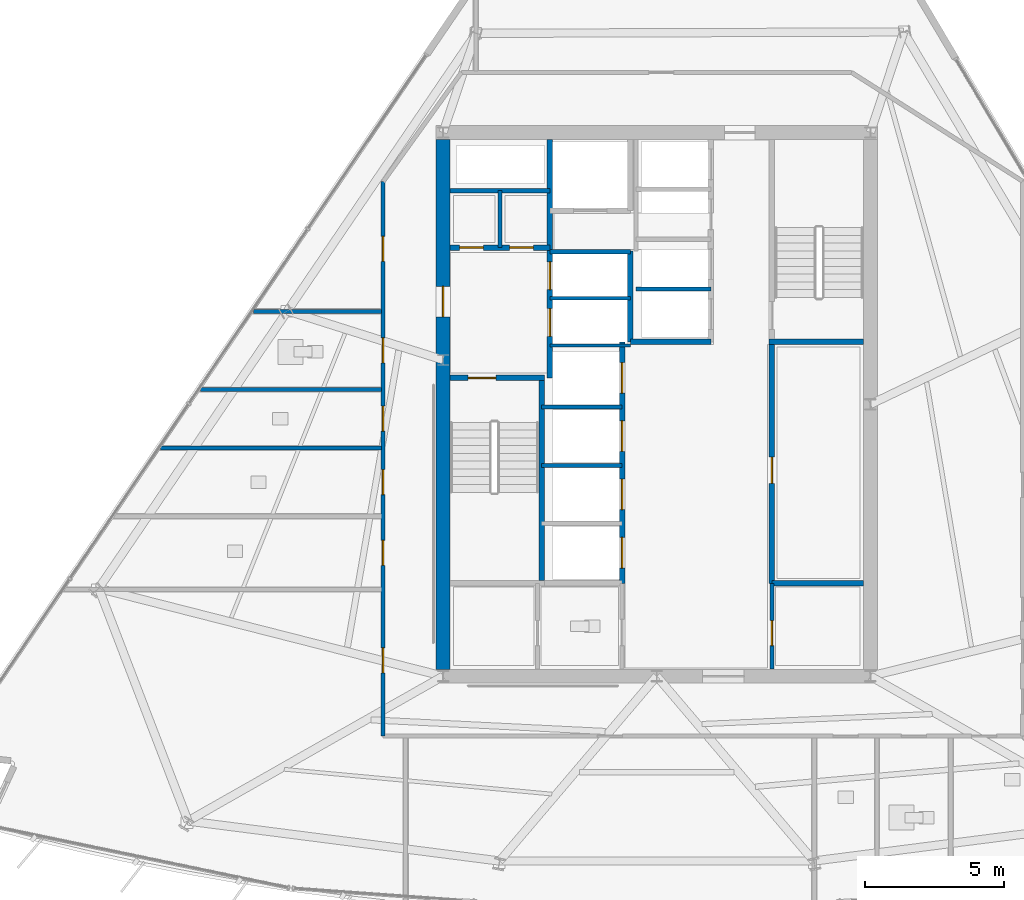
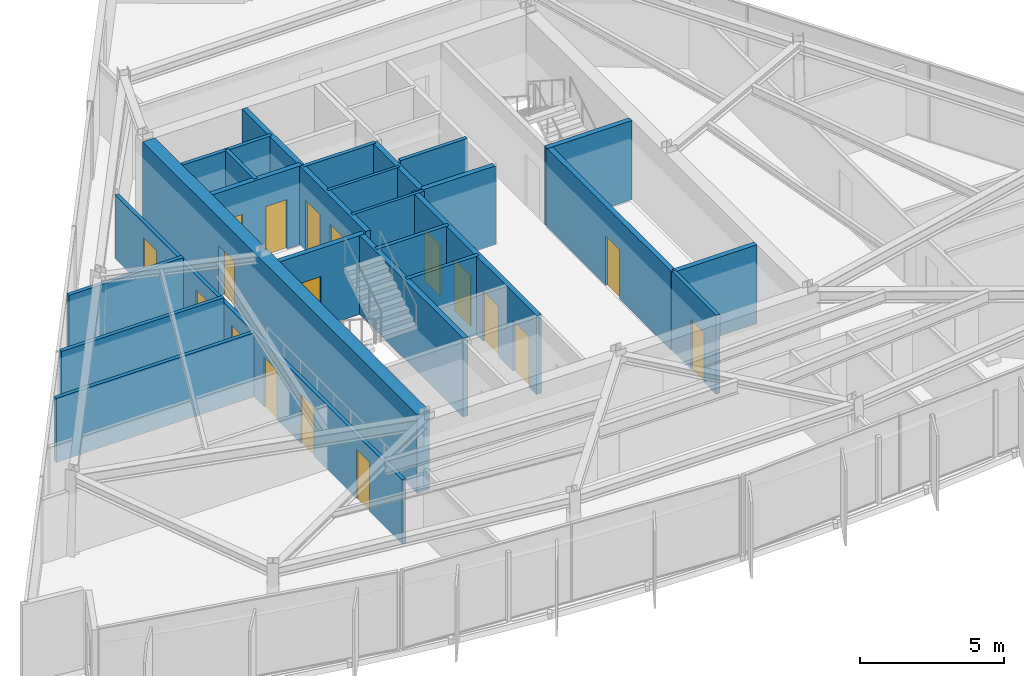
# One storey, part 8 of 15: 24 walls, 18 doors, 18 openings.
"""IFC4 building model written with IfcOpenShell, lengths in metres."""

from ifc_helpers import new_model, si_unit, direction, frame, frame_2d, origin, place, context, subcontext, project, spatial, rectangle, extrude, material, layer, layer_set, type_object, element, fill, save


model = new_model("IFC4")

# Units and contexts
model_context = context("Model", 3, precision=1e-05, world=origin(), true_north=direction((0.0, 1.0)))
body_context = subcontext(model_context, "Body", "Model", "MODEL_VIEW")
ifc_project = project(units=[si_unit("LENGTHUNIT", "METRE"), si_unit("AREAUNIT", "SQUARE_METRE"), si_unit("VOLUMEUNIT", "CUBIC_METRE"), si_unit("PLANEANGLEUNIT", "RADIAN"), si_unit("MASSUNIT", "GRAM", prefix="KILO")], contexts=[model_context])

# Site, building, storey
site_placement = place(None, origin())
site = spatial("IfcSite", under=ifc_project, at=site_placement, CompositionType="ELEMENT")
building_placement = place(site_placement, origin())
building = spatial("IfcBuilding", under=site, at=building_placement, Name="Savorim Split Tower", CompositionType="ELEMENT")
storey_placement = place(building_placement, frame((0.0, 0.0, 198.300048828125)))
storey = spatial("IfcBuildingStorey", under=building, at=storey_placement, Name="L52", CompositionType="ELEMENT", Elevation=198.300048828125)

# Wall, opening, door
ifc_material_1 = material(Name="Concrete C60/75", Category="concrete")
ifc_layer_1 = layer(ifc_material_1, 0.5)
ifc_layer_set_1 = layer_set([ifc_layer_1], Name="WAL-COR-SH500")
wall_type_1 = type_object("IfcWallType", Name="WAL-COR-SH500", PredefinedType="SHEAR", material=ifc_layer_set_1)
wall_1_placement = place(storey_placement, frame((-7.699951171875, -9.14990234375, 0.0), z_axis=(0.0, 0.0, 1.0), x_axis=(0.0, 1.0, 0.0)))
wall_1 = element("IfcWall", 1, at=wall_1_placement, inside=storey, type_object=wall_type_1, Name="L52 Offset Core West Shear Wall", PredefinedType="SHEAR", context=body_context, shape_type="SweptSolid", body=[
    extrude(rectangle(XDim=19.099853515625, YDim=0.5, at=frame_2d((9.5498046875, 0.0))), origin(), (0.0, 0.0, 1.0), 3.349853515625),
])
opening_1_placement = place(wall_1_placement, frame((12.699951171875, 0.0, 0.0)))
opening_1 = element("IfcOpeningElement", 2, at=opening_1_placement, cuts=wall_1, Name="Opening DI-03", PredefinedType="OPENING", context=body_context, shape_type="SweptSolid", body=[
    extrude(rectangle(XDim=1.10009765625, YDim=2.14990234375, at=frame_2d((0.550048828125, 1.074951171875))), frame((0.0, 0.260009765625, 0.0), z_axis=(0.0, -1.0, 0.0), x_axis=(1.0, 0.0, 0.0)), (0.0, 0.0, 1.0), 0.52001953125),
])
ifc_material_2 = material(Name="Timber Fire Door Leaf", Category="wood")
door_type_1 = type_object("IfcDoorType", Name="DOR-FIR-1100", OperationType="NOTDEFINED", PredefinedType="DOOR", material=ifc_material_2)
door_1_placement = place(opening_1_placement, origin())
door_1 = element("IfcDoor", 3, at=door_1_placement, inside=storey, type_object=door_type_1, Name="DOR-L52-COR-FFLOB - L52 Firefighting Lobby Corridor Door", OperationType="SINGLE_SWING_RIGHT", OverallHeight=2.14990234375, OverallWidth=1.10009765625, PredefinedType="DOOR", context=body_context, shape_type="SweptSolid", body=[
    extrude(rectangle(XDim=1.10009765625, YDim=2.14990234375, at=frame_2d((0.550048828125, 1.074951171875))), frame((0.0, 0.02490234375, 0.0), z_axis=(0.0, -1.0, 0.0), x_axis=(1.0, 0.0, 0.0)), (0.0, 0.0, 1.0), 0.050048828125),
])
fill(opening_1, door_1)

ifc_material_3 = material(Name="Concrete C50/60", Category="concrete")
ifc_layer_2 = layer(ifc_material_3, 0.199951171875)
ifc_layer_set_2 = layer_set([ifc_layer_2], Name="WAL-INT-RC200")
wall_type_2 = type_object("IfcWallType", Name="WAL-INT-RC200", PredefinedType="SOLIDWALL", material=ifc_layer_set_2)
wall_2_placement = place(storey_placement, frame((-7.449951171875, 1.35009765625, 0.0), z_axis=(0.0, 0.0, 1.0), x_axis=(1.0, 0.0, 0.0)))
wall_2 = element("IfcWall", 4, at=wall_2_placement, inside=storey, type_object=wall_type_2, Name="L52 Structural Shaft Wall W-L52-CR01", PredefinedType="SOLIDWALL", context=body_context, shape_type="SweptSolid", body=[
    extrude(rectangle(XDim=3.39990234375, YDim=0.199951171875, at=frame_2d((1.699951171875, 0.0))), origin(), (0.0, 0.0, 1.0), 3.349853515625),
])
opening_2_placement = place(wall_2_placement, frame((0.64990234375, 0.0, 0.0)))
opening_2 = element("IfcOpeningElement", 5, at=opening_2_placement, cuts=wall_2, Name="Opening DI-04", PredefinedType="OPENING", context=body_context, shape_type="SweptSolid", body=[
    extrude(rectangle(XDim=1.0, YDim=2.14990234375, at=frame_2d((0.5, 1.074951171875))), frame((0.0, 0.10986328125, 0.0), z_axis=(0.0, -1.0, 0.0), x_axis=(1.0, 0.0, 0.0)), (0.0, 0.0, 1.0), 0.219970703125),
])
door_type_2 = type_object("IfcDoorType", Name="DOR-FIR-1000", OperationType="NOTDEFINED", PredefinedType="DOOR", material=ifc_material_2)
door_2_placement = place(opening_2_placement, origin())
door_2 = element("IfcDoor", 6, at=door_2_placement, inside=storey, type_object=door_type_2, Name="DR-L52-ST1 - L52 Stair ST-1 Enclosure Door", OperationType="SINGLE_SWING_LEFT", OverallHeight=2.14990234375, OverallWidth=1.0, PredefinedType="DOOR", context=body_context, shape_type="SweptSolid", body=[
    extrude(rectangle(XDim=1.0, YDim=2.14990234375, at=frame_2d((0.5, 1.074951171875))), frame((0.0, 0.02490234375, 0.0), z_axis=(0.0, -1.0, 0.0), x_axis=(1.0, 0.0, 0.0)), (0.0, 0.0, 1.0), 0.050048828125),
])
fill(opening_2, door_2)

# Wall
wall_3_placement = place(storey_placement, frame((-4.14990234375, -5.949951171875, 0.0), z_axis=(0.0, 0.0, 1.0), x_axis=(0.0, 1.0, 0.0)))
element("IfcWall", 7, at=wall_3_placement, inside=storey, type_object=wall_type_2, Name="L52 Structural Shaft Wall W-L52-CR02", PredefinedType="SOLIDWALL", context=body_context, shape_type="SweptSolid", body=[
    extrude(rectangle(XDim=7.199951171875, YDim=0.199951171875, at=frame_2d((3.60009765625, 0.0))), origin(), (0.0, 0.0, 1.0), 3.349853515625),
])

# Wall, openings, doors
wall_4_placement = place(storey_placement, frame((-3.85009765625, 1.35009765625, 0.0), z_axis=(0.0, 0.0, 1.0), x_axis=(0.0, 1.0, 0.0)))
wall_4 = element("IfcWall", 8, at=wall_4_placement, inside=storey, type_object=wall_type_2, Name="L52 Partition W-L52-CR03", PredefinedType="SOLIDWALL", context=body_context, shape_type="SweptSolid", body=[
    extrude(rectangle(XDim=8.594970703125, YDim=0.199951171875, at=frame_2d((4.29736328125, 0.0))), origin(), (0.0, 0.0, 1.0), 3.349853515625),
])
opening_3_placement = place(wall_4_placement, frame((1.5, 0.0, 0.0)))
opening_3 = element("IfcOpeningElement", 9, at=opening_3_placement, cuts=wall_4, Name="Opening LD-FFL", PredefinedType="OPENING", context=body_context, shape_type="SweptSolid", body=[
    extrude(rectangle(XDim=1.0, YDim=2.14990234375, at=frame_2d((0.5, 1.074951171875))), frame((0.0, 0.10986328125, 0.0), z_axis=(0.0, -1.0, 0.0), x_axis=(1.0, 0.0, 0.0)), (0.0, 0.0, 1.0), 0.219970703125),
])
opening_4_placement = place(wall_4_placement, frame((3.179931640625, 0.0, 0.0)))
opening_4 = element("IfcOpeningElement", 10, at=opening_4_placement, cuts=wall_4, Name="Opening LD-FFL", PredefinedType="OPENING", context=body_context, shape_type="SweptSolid", body=[
    extrude(rectangle(XDim=1.0, YDim=2.14990234375, at=frame_2d((0.5, 1.074951171875))), frame((0.0, 0.10986328125, 0.0), z_axis=(0.0, -1.0, 0.0), x_axis=(1.0, 0.0, 0.0)), (0.0, 0.0, 1.0), 0.219970703125),
])
ifc_material_4 = material(Name="Charcoal Anodised Aluminium", Category="aluminium")
door_type_3 = type_object("IfcDoorType", Name="DOR-SLD-LD1000", OperationType="NOTDEFINED", PredefinedType="DOOR", material=ifc_material_4)
door_3_placement = place(opening_3_placement, origin())
door_3 = element("IfcDoor", 11, at=door_3_placement, inside=storey, type_object=door_type_3, Name="DR-L52-LD-FFL1 - L52 Firefighting Lift FFL-1 Sliding Landing Door", OperationType="DOUBLE_DOOR_SLIDING", OverallHeight=2.14990234375, OverallWidth=1.0, PredefinedType="DOOR", context=body_context, shape_type="SweptSolid", body=[
    extrude(rectangle(XDim=1.0, YDim=2.14990234375, at=frame_2d((0.5, 1.074951171875))), frame((0.0, 0.02490234375, 0.0), z_axis=(0.0, -1.0, 0.0), x_axis=(1.0, 0.0, 0.0)), (0.0, 0.0, 1.0), 0.050048828125),
])
fill(opening_3, door_3)
door_4_placement = place(opening_4_placement, origin())
door_4 = element("IfcDoor", 12, at=door_4_placement, inside=storey, type_object=door_type_3, Name="DR-L52-LD-FFL2 - L52 Firefighting Lift FFL-2 Sliding Landing Door", OperationType="DOUBLE_DOOR_SLIDING", OverallHeight=2.14990234375, OverallWidth=1.0, PredefinedType="DOOR", context=body_context, shape_type="SweptSolid", body=[
    extrude(rectangle(XDim=1.0, YDim=2.14990234375, at=frame_2d((0.5, 1.074951171875))), frame((0.0, 0.02490234375, 0.0), z_axis=(0.0, -1.0, 0.0), x_axis=(1.0, 0.0, 0.0)), (0.0, 0.0, 1.0), 0.050048828125),
])
fill(opening_4, door_4)

wall_5_placement = place(storey_placement, frame((-7.445068359375, 6.050048828125, 0.0), z_axis=(0.0, 0.0, 1.0), x_axis=(1.0, 0.0, 0.0)))
wall_5 = element("IfcWall", 13, at=wall_5_placement, inside=storey, type_object=wall_type_2, Name="L52 Partition W-L52-CR04", PredefinedType="SOLIDWALL", context=body_context, shape_type="SweptSolid", body=[
    extrude(rectangle(XDim=3.594970703125, YDim=0.199951171875, at=frame_2d((1.79736328125, 0.0))), origin(), (0.0, 0.0, 1.0), 3.349853515625),
])
opening_5_placement = place(wall_5_placement, frame((0.344970703125, 0.0, 0.0)))
opening_5 = element("IfcOpeningElement", 14, at=opening_5_placement, cuts=wall_5, Name="Opening DI-12", PredefinedType="OPENING", context=body_context, shape_type="SweptSolid", body=[
    extrude(rectangle(XDim=0.85009765625, YDim=2.10009765625, at=frame_2d((0.425048828125, 1.050048828125))), frame((0.0, 0.10986328125, 0.0), z_axis=(0.0, -1.0, 0.0), x_axis=(1.0, 0.0, 0.0)), (0.0, 0.0, 1.0), 0.219970703125),
])
opening_6_placement = place(wall_5_placement, frame((2.14501953125, 0.0, 0.0)))
opening_6 = element("IfcOpeningElement", 15, at=opening_6_placement, cuts=wall_5, Name="Opening DI-12", PredefinedType="OPENING", context=body_context, shape_type="SweptSolid", body=[
    extrude(rectangle(XDim=0.85009765625, YDim=2.10009765625, at=frame_2d((0.425048828125, 1.050048828125))), frame((0.0, 0.10986328125, 0.0), z_axis=(0.0, -1.0, 0.0), x_axis=(1.0, 0.0, 0.0)), (0.0, 0.0, 1.0), 0.219970703125),
])
ifc_material_5 = material(Name="Galvanised Painted Steel Balustrade", Category="steel")
door_type_4 = type_object("IfcDoorType", Name="DOR-RIS-850", OperationType="NOTDEFINED", PredefinedType="DOOR", material=ifc_material_5)
door_5_placement = place(opening_5_placement, origin())
door_5 = element("IfcDoor", 16, at=door_5_placement, inside=storey, type_object=door_type_4, Name="DR-L52-ELR - L52 Electrical Riser Access Door", OperationType="SINGLE_SWING_RIGHT", OverallHeight=2.10009765625, OverallWidth=0.85009765625, PredefinedType="DOOR", context=body_context, shape_type="SweptSolid", body=[
    extrude(rectangle(XDim=0.85009765625, YDim=2.10009765625, at=frame_2d((0.425048828125, 1.050048828125))), frame((0.0, 0.02490234375, 0.0), z_axis=(0.0, -1.0, 0.0), x_axis=(1.0, 0.0, 0.0)), (0.0, 0.0, 1.0), 0.050048828125),
])
fill(opening_5, door_5)
door_6_placement = place(opening_6_placement, origin())
door_6 = element("IfcDoor", 17, at=door_6_placement, inside=storey, type_object=door_type_4, Name="DR-L52-TLR - L52 Telecom Riser Access Door", OperationType="SINGLE_SWING_LEFT", OverallHeight=2.10009765625, OverallWidth=0.85009765625, PredefinedType="DOOR", context=body_context, shape_type="SweptSolid", body=[
    extrude(rectangle(XDim=0.85009765625, YDim=2.10009765625, at=frame_2d((0.425048828125, 1.050048828125))), frame((0.0, 0.02490234375, 0.0), z_axis=(0.0, -1.0, 0.0), x_axis=(1.0, 0.0, 0.0)), (0.0, 0.0, 1.0), 0.050048828125),
])
fill(opening_6, door_6)

# Walls
wall_6_placement = place(storey_placement, frame((4.050048828125, 2.64990234375, 0.0), z_axis=(0.0, 0.0, 1.0), x_axis=(1.0, 0.0, 0.0)))
element("IfcWall", 18, at=wall_6_placement, inside=storey, type_object=wall_type_2, Name="L52 Structural Shaft Wall W-L52-CR08", PredefinedType="SOLIDWALL", context=body_context, shape_type="SweptSolid", body=[
    extrude(rectangle(XDim=3.39990234375, YDim=0.199951171875, at=frame_2d((1.699951171875, 0.0))), origin(), (0.0, 0.0, 1.0), 3.349853515625),
])
wall_7_placement = place(storey_placement, frame((-0.949951171875, 2.64990234375, 0.0), z_axis=(0.0, 0.0, 1.0), x_axis=(0.0, 1.0, 0.0)))
element("IfcWall", 19, at=wall_7_placement, inside=storey, type_object=wall_type_2, Name="L52 Partition W-L52-FFLW", PredefinedType="SOLIDWALL", context=body_context, shape_type="SweptSolid", body=[
    extrude(rectangle(XDim=3.27001953125, YDim=0.199951171875, at=frame_2d((1.635009765625, 0.0))), origin(), (0.0, 0.0, 1.0), 3.349853515625),
])

# Wall, opening, door
wall_8_placement = place(storey_placement, frame((4.14990234375, -6.050048828125, 0.0), z_axis=(0.0, 0.0, 1.0), x_axis=(0.0, 1.0, 0.0)))
wall_8 = element("IfcWall", 20, at=wall_8_placement, inside=storey, type_object=wall_type_2, Name="L52 Partition W-L52-B1FRONT", PredefinedType="SOLIDWALL", context=body_context, shape_type="SweptSolid", body=[
    extrude(rectangle(XDim=8.699951171875, YDim=0.199951171875, at=frame_2d((4.35009765625, 0.0))), origin(), (0.0, 0.0, 1.0), 3.349853515625),
])
opening_7_placement = place(wall_8_placement, frame((3.60009765625, 0.0, 0.0)))
opening_7 = element("IfcOpeningElement", 21, at=opening_7_placement, cuts=wall_8, Name="Opening DI-05", PredefinedType="OPENING", context=body_context, shape_type="SweptSolid", body=[
    extrude(rectangle(XDim=0.949951171875, YDim=2.10009765625, at=frame_2d((0.47509765625, 1.050048828125))), frame((0.0, 0.10986328125, 0.0), z_axis=(0.0, -1.0, 0.0), x_axis=(1.0, 0.0, 0.0)), (0.0, 0.0, 1.0), 0.219970703125),
])
door_type_5 = type_object("IfcDoorType", Name="DOR-FIR-950", OperationType="NOTDEFINED", PredefinedType="DOOR", material=ifc_material_2)
door_7_placement = place(opening_7_placement, origin())
door_7 = element("IfcDoor", 22, at=door_7_placement, inside=storey, type_object=door_type_5, Name="DR-L52-LV7B1 - L52 Shared Pantry and Linen Room Door", OperationType="SINGLE_SWING_RIGHT", OverallHeight=2.10009765625, OverallWidth=0.949951171875, PredefinedType="DOOR", context=body_context, shape_type="SweptSolid", body=[
    extrude(rectangle(XDim=0.949951171875, YDim=2.10009765625, at=frame_2d((0.47509765625, 1.050048828125))), frame((0.0, 0.02490234375, 0.0), z_axis=(0.0, -1.0, 0.0), x_axis=(1.0, 0.0, 0.0)), (0.0, 0.0, 1.0), 0.050048828125),
])
fill(opening_7, door_7)

# Wall, openings, doors
wall_9_placement = place(storey_placement, frame((-1.25, -6.050048828125, 0.0), z_axis=(0.0, 0.0, 1.0), x_axis=(0.0, 1.0, 0.0)))
wall_9 = element("IfcWall", 23, at=wall_9_placement, inside=storey, type_object=wall_type_2, Name="L52 Partition W-L52-B2FRONT", PredefinedType="SOLIDWALL", context=body_context, shape_type="SweptSolid", body=[
    extrude(rectangle(XDim=8.699951171875, YDim=0.199951171875, at=frame_2d((4.35009765625, 0.0))), origin(), (0.0, 0.0, 1.0), 3.349853515625),
])
opening_8_placement = place(wall_9_placement, frame((0.550048828125, 0.0, 0.0)))
opening_8 = element("IfcOpeningElement", 24, at=opening_8_placement, cuts=wall_9, Name="Opening LD-02", PredefinedType="OPENING", context=body_context, shape_type="SweptSolid", body=[
    extrude(rectangle(XDim=1.10009765625, YDim=2.14990234375, at=frame_2d((0.550048828125, 1.074951171875))), frame((0.0, 0.10986328125, 0.0), z_axis=(0.0, -1.0, 0.0), x_axis=(1.0, 0.0, 0.0)), (0.0, 0.0, 1.0), 0.219970703125),
])
opening_9_placement = place(wall_9_placement, frame((2.64990234375, 0.0, 0.0)))
opening_9 = element("IfcOpeningElement", 25, at=opening_9_placement, cuts=wall_9, Name="Opening LD-02", PredefinedType="OPENING", context=body_context, shape_type="SweptSolid", body=[
    extrude(rectangle(XDim=1.10009765625, YDim=2.14990234375, at=frame_2d((0.550048828125, 1.074951171875))), frame((0.0, 0.10986328125, 0.0), z_axis=(0.0, -1.0, 0.0), x_axis=(1.0, 0.0, 0.0)), (0.0, 0.0, 1.0), 0.219970703125),
])
opening_10_placement = place(wall_9_placement, frame((4.75, 0.0, 0.0)))
opening_10 = element("IfcOpeningElement", 26, at=opening_10_placement, cuts=wall_9, Name="Opening LD-02", PredefinedType="OPENING", context=body_context, shape_type="SweptSolid", body=[
    extrude(rectangle(XDim=1.10009765625, YDim=2.14990234375, at=frame_2d((0.550048828125, 1.074951171875))), frame((0.0, 0.10986328125, 0.0), z_axis=(0.0, -1.0, 0.0), x_axis=(1.0, 0.0, 0.0)), (0.0, 0.0, 1.0), 0.219970703125),
])
opening_11_placement = place(wall_9_placement, frame((6.85009765625, 0.0, 0.0)))
opening_11 = element("IfcOpeningElement", 27, at=opening_11_placement, cuts=wall_9, Name="Opening LD-02", PredefinedType="OPENING", context=body_context, shape_type="SweptSolid", body=[
    extrude(rectangle(XDim=1.10009765625, YDim=2.14990234375, at=frame_2d((0.550048828125, 1.074951171875))), frame((0.0, 0.10986328125, 0.0), z_axis=(0.0, -1.0, 0.0), x_axis=(1.0, 0.0, 0.0)), (0.0, 0.0, 1.0), 0.219970703125),
])
door_type_6 = type_object("IfcDoorType", Name="DOR-SLD-LDM1100", OperationType="NOTDEFINED", PredefinedType="DOOR", material=ifc_material_4)
door_8_placement = place(opening_8_placement, origin())
door_8 = element("IfcDoor", 28, at=door_8_placement, inside=storey, type_object=door_type_6, Name="DR-L52-LD-PLM1 - L52 Lift PL-M1 Sliding Landing Door", OperationType="DOUBLE_DOOR_SLIDING", OverallHeight=2.14990234375, OverallWidth=1.10009765625, PredefinedType="DOOR", context=body_context, shape_type="SweptSolid", body=[
    extrude(rectangle(XDim=1.10009765625, YDim=2.14990234375, at=frame_2d((0.550048828125, 1.074951171875))), frame((0.0, 0.02490234375, 0.0), z_axis=(0.0, -1.0, 0.0), x_axis=(1.0, 0.0, 0.0)), (0.0, 0.0, 1.0), 0.050048828125),
])
fill(opening_8, door_8)
door_9_placement = place(opening_9_placement, origin())
door_9 = element("IfcDoor", 29, at=door_9_placement, inside=storey, type_object=door_type_6, Name="DR-L52-LD-PLM2 - L52 Lift PL-M2 Sliding Landing Door", OperationType="DOUBLE_DOOR_SLIDING", OverallHeight=2.14990234375, OverallWidth=1.10009765625, PredefinedType="DOOR", context=body_context, shape_type="SweptSolid", body=[
    extrude(rectangle(XDim=1.10009765625, YDim=2.14990234375, at=frame_2d((0.550048828125, 1.074951171875))), frame((0.0, 0.02490234375, 0.0), z_axis=(0.0, -1.0, 0.0), x_axis=(1.0, 0.0, 0.0)), (0.0, 0.0, 1.0), 0.050048828125),
])
fill(opening_9, door_9)
door_10_placement = place(opening_10_placement, origin())
door_10 = element("IfcDoor", 30, at=door_10_placement, inside=storey, type_object=door_type_6, Name="DR-L52-LD-PLM3 - L52 Lift PL-M3 Sliding Landing Door", OperationType="DOUBLE_DOOR_SLIDING", OverallHeight=2.14990234375, OverallWidth=1.10009765625, PredefinedType="DOOR", context=body_context, shape_type="SweptSolid", body=[
    extrude(rectangle(XDim=1.10009765625, YDim=2.14990234375, at=frame_2d((0.550048828125, 1.074951171875))), frame((0.0, 0.02490234375, 0.0), z_axis=(0.0, -1.0, 0.0), x_axis=(1.0, 0.0, 0.0)), (0.0, 0.0, 1.0), 0.050048828125),
])
fill(opening_10, door_10)
door_11_placement = place(opening_11_placement, origin())
door_11 = element("IfcDoor", 31, at=door_11_placement, inside=storey, type_object=door_type_6, Name="DR-L52-LD-PLM4 - L52 Lift PL-M4 Sliding Landing Door", OperationType="DOUBLE_DOOR_SLIDING", OverallHeight=2.14990234375, OverallWidth=1.10009765625, PredefinedType="DOOR", context=body_context, shape_type="SweptSolid", body=[
    extrude(rectangle(XDim=1.10009765625, YDim=2.14990234375, at=frame_2d((0.550048828125, 1.074951171875))), frame((0.0, 0.02490234375, 0.0), z_axis=(0.0, -1.0, 0.0), x_axis=(1.0, 0.0, 0.0)), (0.0, 0.0, 1.0), 0.050048828125),
])
fill(opening_11, door_11)

# Walls
wall_10_placement = place(storey_placement, frame((-0.949951171875, 2.64990234375, 0.0), z_axis=(0.0, 0.0, 1.0), x_axis=(1.0, 0.0, 0.0)))
element("IfcWall", 32, at=wall_10_placement, inside=storey, type_object=wall_type_2, Name="L52 Partition W-L52-B3SOUTH", PredefinedType="SOLIDWALL", context=body_context, shape_type="SweptSolid", body=[
    extrude(rectangle(XDim=2.89990234375, YDim=0.199951171875, at=frame_2d((1.449951171875, 0.0))), origin(), (0.0, 0.0, 1.0), 3.349853515625),
])
wall_11_placement = place(storey_placement, frame((4.14990234375, -6.050048828125, 0.0), z_axis=(0.0, 0.0, 1.0), x_axis=(1.0, 0.0, 0.0)))
element("IfcWall", 33, at=wall_11_placement, inside=storey, type_object=wall_type_2, Name="L52 Partition W-L52-KSEP-E", PredefinedType="SOLIDWALL", context=body_context, shape_type="SweptSolid", body=[
    extrude(rectangle(XDim=3.295166015625, YDim=0.199951171875, at=frame_2d((1.6474609375, 0.0))), origin(), (0.0, 0.0, 1.0), 3.349853515625),
])
ifc_material_6 = material(Name="Acoustic Gypsum Partition Board")
ifc_layer_3 = layer(ifc_material_6, 0.1201171875)
ifc_layer_set_3 = layer_set([ifc_layer_3], Name="WAL-PAR-120")
wall_type_3 = type_object("IfcWallType", Name="WAL-PAR-120", PredefinedType="PARTITIONING", material=ifc_layer_set_3)
for number, where, z_axis, x_axis, name in (
    (34, (-3.85009765625, 2.52001953125, 0.0), (0.0, 0.0, 1.0), (1.0, 0.0, 0.0), "L52 Partition W-L52-FFLD0"),
    (35, (-3.85009765625, 4.219970703125, 0.0), (0.0, 0.0, 1.0), (1.0, 0.0, 0.0), "L52 Partition W-L52-FFLD1"),
):
    element("IfcWall", number, at=place(storey_placement, frame(where, z_axis=z_axis, x_axis=x_axis)), inside=storey, type_object=wall_type_3, Name=name, PredefinedType="PARTITIONING", context=body_context, shape_type="SweptSolid", body=[
        extrude(rectangle(XDim=2.900146484375, YDim=0.1201171875, at=frame_2d((1.4501953125, 0.0))), origin(), (0.0, 0.0, 1.0), 3.349853515625),
    ])
ifc_layer_4 = layer(ifc_material_6, 0.14990234375)
ifc_layer_set_4 = layer_set([ifc_layer_4], Name="WAL-PAR-150")
wall_type_4 = type_object("IfcWallType", Name="WAL-PAR-150", PredefinedType="PARTITIONING", material=ifc_layer_set_4)
wall_12_placement = place(storey_placement, frame((-7.445068359375, 8.10009765625, 0.0), z_axis=(0.0, 0.0, 1.0), x_axis=(1.0, 0.0, 0.0)))
element("IfcWall", 36, at=wall_12_placement, inside=storey, type_object=wall_type_4, Name="L52 Partition W-L52-CR05", PredefinedType="PARTITIONING", context=body_context, shape_type="SweptSolid", body=[
    extrude(rectangle(XDim=3.594970703125, YDim=0.14990234375, at=frame_2d((1.79736328125, 0.0))), origin(), (0.0, 0.0, 1.0), 3.349853515625),
])
wall_13_placement = place(storey_placement, frame((-5.64990234375, 6.050048828125, 0.0), z_axis=(0.0, 0.0, 1.0), x_axis=(0.0, 1.0, 0.0)))
element("IfcWall", 37, at=wall_13_placement, inside=storey, type_object=wall_type_4, Name="L52 Partition W-L52-CR06", PredefinedType="PARTITIONING", context=body_context, shape_type="SweptSolid", body=[
    extrude(rectangle(XDim=2.050048828125, YDim=0.14990234375, at=frame_2d((1.02490234375, 0.0))), origin(), (0.0, 0.0, 1.0), 3.349853515625),
])
wall_14_placement = place(storey_placement, frame((-3.85009765625, 5.89990234375, 0.0), z_axis=(0.0, 0.0, 1.0), x_axis=(1.0, 0.0, 0.0)))
element("IfcWall", 38, at=wall_14_placement, inside=storey, type_object=wall_type_4, Name="L52 Partition W-L52-FFLD2", PredefinedType="PARTITIONING", context=body_context, shape_type="SweptSolid", body=[
    extrude(rectangle(XDim=2.900146484375, YDim=0.14990234375, at=frame_2d((1.4501953125, 0.0))), origin(), (0.0, 0.0, 1.0), 3.349853515625),
])
for number, where, z_axis, x_axis, name in (
    (39, (-4.14990234375, -1.800048828125, 0.0), (0.0, 0.0, 1.0), (1.0, 0.0, 0.0), "L52 Partition W-L52-B2DIV2"),
    (40, (-4.14990234375, 0.300048828125, 0.0), (0.0, 0.0, 1.0), (1.0, 0.0, 0.0), "L52 Partition W-L52-B2DIV3"),
):
    element("IfcWall", number, at=place(storey_placement, frame(where, z_axis=z_axis, x_axis=x_axis)), inside=storey, type_object=wall_type_4, Name=name, PredefinedType="PARTITIONING", context=body_context, shape_type="SweptSolid", body=[
        extrude(rectangle(XDim=2.89990234375, YDim=0.14990234375, at=frame_2d((1.449951171875, 0.0))), origin(), (0.0, 0.0, 1.0), 3.349853515625),
    ])
wall_15_placement = place(storey_placement, frame((-0.75, 4.550048828125, 0.0), z_axis=(0.0, 0.0, 1.0), x_axis=(1.0, 0.0, 0.0)))
element("IfcWall", 41, at=wall_15_placement, inside=storey, type_object=wall_type_4, Name="L52 Partition W-L52-B3DIV1", PredefinedType="PARTITIONING", context=body_context, shape_type="SweptSolid", body=[
    extrude(rectangle(XDim=2.699951171875, YDim=0.14990234375, at=frame_2d((1.35009765625, 0.0))), origin(), (0.0, 0.0, 1.0), 3.349853515625),
])

# Wall, opening, door
wall_16_placement = place(storey_placement, frame((4.14990234375, -9.14501953125, 0.0), z_axis=(0.0, 0.0, 1.0), x_axis=(0.0, 1.0, 0.0)))
wall_16 = element("IfcWall", 42, at=wall_16_placement, inside=storey, type_object=wall_type_4, Name="L52 Partition W-L52-KLOB-E", PredefinedType="PARTITIONING", context=body_context, shape_type="SweptSolid", body=[
    extrude(rectangle(XDim=3.094970703125, YDim=0.14990234375, at=frame_2d((1.54736328125, 0.0))), origin(), (0.0, 0.0, 1.0), 3.349853515625),
])
opening_12_placement = place(wall_16_placement, frame((0.844970703125, 0.0, 0.0)))
opening_12 = element("IfcOpeningElement", 43, at=opening_12_placement, cuts=wall_16, Name="Opening DI-06", PredefinedType="OPENING", context=body_context, shape_type="SweptSolid", body=[
    extrude(rectangle(XDim=0.89990234375, YDim=2.10009765625, at=frame_2d((0.449951171875, 1.050048828125))), frame((0.0, 0.0849609375, 0.0), z_axis=(0.0, -1.0, 0.0), x_axis=(1.0, 0.0, 0.0)), (0.0, 0.0, 1.0), 0.169921875),
])
door_type_7 = type_object("IfcDoorType", Name="DOR-FIR-900", OperationType="NOTDEFINED", PredefinedType="DOOR", material=ifc_material_2)
door_12_placement = place(opening_12_placement, origin())
door_12 = element("IfcDoor", 44, at=door_12_placement, inside=storey, type_object=door_type_7, Name="DR-L52-K1IT - L52 Core IT Room Door", OperationType="SINGLE_SWING_LEFT", OverallHeight=2.10009765625, OverallWidth=0.89990234375, PredefinedType="DOOR", context=body_context, shape_type="SweptSolid", body=[
    extrude(rectangle(XDim=0.89990234375, YDim=2.10009765625, at=frame_2d((0.449951171875, 1.050048828125))), frame((0.0, 0.02490234375, 0.0), z_axis=(0.0, -1.0, 0.0), x_axis=(1.0, 0.0, 0.0)), (0.0, 0.0, 1.0), 0.050048828125),
])
fill(opening_12, door_12)

# Wall, openings, doors
wall_17_placement = place(storey_placement, frame((-9.860107421875, -11.56005859375, 0.0), z_axis=(0.0, 0.0, 1.0), x_axis=(0.0, 1.0, 0.0)))
wall_17 = element("IfcWall", 45, at=wall_17_placement, inside=storey, type_object=wall_type_4, Name="L52 Partition W-L52-COR-01", PredefinedType="PARTITIONING", context=body_context, shape_type="SweptSolid", body=[
    extrude(rectangle(XDim=19.98583984375, YDim=0.14990234375, at=frame_2d((9.992919921875, 0.0))), origin(), (0.0, 0.0, 1.0), 2.724853515625),
])
opening_13_placement = place(wall_17_placement, frame((10.990478515625, 0.0, 0.0)))
opening_13 = element("IfcOpeningElement", 46, at=opening_13_placement, cuts=wall_17, Name="Opening DI-06", PredefinedType="OPENING", context=body_context, shape_type="SweptSolid", body=[
    extrude(rectangle(XDim=0.89990234375, YDim=2.10009765625, at=frame_2d((0.449951171875, 1.050048828125))), frame((0.0, 0.0849609375, 0.0), z_axis=(0.0, -1.0, 0.0), x_axis=(1.0, 0.0, 0.0)), (0.0, 0.0, 1.0), 0.169921875),
])
opening_14_placement = place(wall_17_placement, frame((8.70458984375, 0.0, 0.0)))
opening_14 = element("IfcOpeningElement", 47, at=opening_14_placement, cuts=wall_17, Name="Opening DI-06", PredefinedType="OPENING", context=body_context, shape_type="SweptSolid", body=[
    extrude(rectangle(XDim=0.89990234375, YDim=2.10009765625, at=frame_2d((0.449951171875, 1.050048828125))), frame((0.0, 0.0849609375, 0.0), z_axis=(0.0, -1.0, 0.0), x_axis=(1.0, 0.0, 0.0)), (0.0, 0.0, 1.0), 0.169921875),
])
opening_15_placement = place(wall_17_placement, frame((6.154541015625, 0.0, 0.0)))
opening_15 = element("IfcOpeningElement", 48, at=opening_15_placement, cuts=wall_17, Name="Opening DI-06", PredefinedType="OPENING", context=body_context, shape_type="SweptSolid", body=[
    extrude(rectangle(XDim=0.89990234375, YDim=2.10009765625, at=frame_2d((0.449951171875, 1.050048828125))), frame((0.0, 0.0849609375, 0.0), z_axis=(0.0, -1.0, 0.0), x_axis=(1.0, 0.0, 0.0)), (0.0, 0.0, 1.0), 0.169921875),
])
opening_16_placement = place(wall_17_placement, frame((2.281982421875, 0.0, 0.0)))
opening_16 = element("IfcOpeningElement", 49, at=opening_16_placement, cuts=wall_17, Name="Opening DI-06", PredefinedType="OPENING", context=body_context, shape_type="SweptSolid", body=[
    extrude(rectangle(XDim=0.89990234375, YDim=2.10009765625, at=frame_2d((0.449951171875, 1.050048828125))), frame((0.0, 0.0849609375, 0.0), z_axis=(0.0, -1.0, 0.0), x_axis=(1.0, 0.0, 0.0)), (0.0, 0.0, 1.0), 0.169921875),
])
opening_17_placement = place(wall_17_placement, frame((17.10888671875, 0.0, 0.0)))
opening_17 = element("IfcOpeningElement", 50, at=opening_17_placement, cuts=wall_17, Name="Opening DI-06", PredefinedType="OPENING", context=body_context, shape_type="SweptSolid", body=[
    extrude(rectangle(XDim=0.89990234375, YDim=2.10009765625, at=frame_2d((0.449951171875, 1.050048828125))), frame((0.0, 0.0849609375, 0.0), z_axis=(0.0, -1.0, 0.0), x_axis=(1.0, 0.0, 0.0)), (0.0, 0.0, 1.0), 0.169921875),
])
opening_18_placement = place(wall_17_placement, frame((13.452880859375, 0.0, 0.0)))
opening_18 = element("IfcOpeningElement", 51, at=opening_18_placement, cuts=wall_17, Name="Opening DI-11", PredefinedType="OPENING", context=body_context, shape_type="SweptSolid", body=[
    extrude(rectangle(XDim=0.89990234375, YDim=2.10009765625, at=frame_2d((0.449951171875, 1.050048828125))), frame((0.0, 0.0849609375, 0.0), z_axis=(0.0, -1.0, 0.0), x_axis=(1.0, 0.0, 0.0)), (0.0, 0.0, 1.0), 0.169921875),
])
door_13_placement = place(opening_13_placement, origin())
door_13 = element("IfcDoor", 52, at=door_13_placement, inside=storey, type_object=door_type_7, Name="DR-L52-RM01 - L52 Shared Kitchen Entry Door", OperationType="SINGLE_SWING_RIGHT", OverallHeight=2.10009765625, OverallWidth=0.89990234375, PredefinedType="DOOR", context=body_context, shape_type="SweptSolid", body=[
    extrude(rectangle(XDim=0.89990234375, YDim=2.10009765625, at=frame_2d((0.449951171875, 1.050048828125))), frame((0.0, 0.02490234375, 0.0), z_axis=(0.0, -1.0, 0.0), x_axis=(1.0, 0.0, 0.0)), (0.0, 0.0, 1.0), 0.050048828125),
])
fill(opening_13, door_13)
door_14_placement = place(opening_14_placement, origin())
door_14 = element("IfcDoor", 53, at=door_14_placement, inside=storey, type_object=door_type_7, Name="DR-L52-RM02 - L52 Community Laundry Room Entry Door", OperationType="SINGLE_SWING_LEFT", OverallHeight=2.10009765625, OverallWidth=0.89990234375, PredefinedType="DOOR", context=body_context, shape_type="SweptSolid", body=[
    extrude(rectangle(XDim=0.89990234375, YDim=2.10009765625, at=frame_2d((0.449951171875, 1.050048828125))), frame((0.0, 0.02490234375, 0.0), z_axis=(0.0, -1.0, 0.0), x_axis=(1.0, 0.0, 0.0)), (0.0, 0.0, 1.0), 0.050048828125),
])
fill(opening_14, door_14)
door_15_placement = place(opening_15_placement, origin())
door_15 = element("IfcDoor", 54, at=door_15_placement, inside=storey, type_object=door_type_7, Name="DR-L52-RM03 - L52 Shared Kitchen Entry Door", OperationType="SINGLE_SWING_RIGHT", OverallHeight=2.10009765625, OverallWidth=0.89990234375, PredefinedType="DOOR", context=body_context, shape_type="SweptSolid", body=[
    extrude(rectangle(XDim=0.89990234375, YDim=2.10009765625, at=frame_2d((0.449951171875, 1.050048828125))), frame((0.0, 0.02490234375, 0.0), z_axis=(0.0, -1.0, 0.0), x_axis=(1.0, 0.0, 0.0)), (0.0, 0.0, 1.0), 0.050048828125),
])
fill(opening_15, door_15)
door_16_placement = place(opening_16_placement, origin())
door_16 = element("IfcDoor", 55, at=door_16_placement, inside=storey, type_object=door_type_7, Name="DR-L52-RM04 - L52 Maker Workshop Entry Door", OperationType="SINGLE_SWING_LEFT", OverallHeight=2.10009765625, OverallWidth=0.89990234375, PredefinedType="DOOR", context=body_context, shape_type="SweptSolid", body=[
    extrude(rectangle(XDim=0.89990234375, YDim=2.10009765625, at=frame_2d((0.449951171875, 1.050048828125))), frame((0.0, 0.02490234375, 0.0), z_axis=(0.0, -1.0, 0.0), x_axis=(1.0, 0.0, 0.0)), (0.0, 0.0, 1.0), 0.050048828125),
])
fill(opening_16, door_16)
door_17_placement = place(opening_17_placement, origin())
door_17 = element("IfcDoor", 56, at=door_17_placement, inside=storey, type_object=door_type_7, Name="DR-L52-RM14 - L52 Co-Living Bedroom Entry Door", OperationType="SINGLE_SWING_LEFT", OverallHeight=2.10009765625, OverallWidth=0.89990234375, PredefinedType="DOOR", context=body_context, shape_type="SweptSolid", body=[
    extrude(rectangle(XDim=0.89990234375, YDim=2.10009765625, at=frame_2d((0.449951171875, 1.050048828125))), frame((0.0, 0.02490234375, 0.0), z_axis=(0.0, -1.0, 0.0), x_axis=(1.0, 0.0, 0.0)), (0.0, 0.0, 1.0), 0.050048828125),
])
fill(opening_17, door_17)
ifc_material_7 = material(Name="Oak Veneer Acoustic Door")
door_type_8 = type_object("IfcDoorType", Name="DOR-WC-900", OperationType="NOTDEFINED", PredefinedType="DOOR", material=ifc_material_7)
door_18_placement = place(opening_18_placement, origin())
door_18 = element("IfcDoor", 57, at=door_18_placement, inside=storey, type_object=door_type_8, Name="DR-L52-RM15 - L52 Shared Bathroom Entry Door", OperationType="SINGLE_SWING_RIGHT", OverallHeight=2.10009765625, OverallWidth=0.89990234375, PredefinedType="DOOR", context=body_context, shape_type="SweptSolid", body=[
    extrude(rectangle(XDim=0.89990234375, YDim=2.10009765625, at=frame_2d((0.449951171875, 1.050048828125))), frame((0.0, 0.02490234375, 0.0), z_axis=(0.0, -1.0, 0.0), x_axis=(1.0, 0.0, 0.0)), (0.0, 0.0, 1.0), 0.050048828125),
])
fill(opening_18, door_18)

# Walls
wall_18_placement = place(storey_placement, frame((-9.919921875, 3.750732421875, 0.0), z_axis=(0.0, 0.0, 1.0), x_axis=(-1.0, 0.0, 0.0)))
element("IfcWall", 58, at=wall_18_placement, inside=storey, type_object=wall_type_4, Name="L52 Partition W-L52-PRAD09", PredefinedType="PARTITIONING", context=body_context, shape_type="SweptSolid", body=[
    extrude(rectangle(XDim=4.613037109375, YDim=0.14990234375, at=frame_2d((2.306640625, 0.0))), origin(), (0.0, 0.0, 1.0), 2.93505859375),
])
wall_19_placement = place(storey_placement, frame((-9.919921875, -1.174072265625, 0.0), z_axis=(0.0, 0.0, 1.0), x_axis=(-1.0, 0.0, 0.0)))
element("IfcWall", 59, at=wall_19_placement, inside=storey, type_object=wall_type_4, Name="L52 Partition W-L52-SUB01", PredefinedType="PARTITIONING", context=body_context, shape_type="SweptSolid", body=[
    extrude(rectangle(XDim=7.96337890625, YDim=0.14990234375, at=frame_2d((3.981689453125, 0.0))), origin(), (0.0, 0.0, 1.0), 2.724853515625),
])
wall_20_placement = place(storey_placement, frame((-9.919921875, 0.93505859375, 0.0), z_axis=(0.0, 0.0, 1.0), x_axis=(-1.0, 0.0, 0.0)))
element("IfcWall", 60, at=wall_20_placement, inside=storey, type_object=wall_type_4, Name="L52 Partition W-L52-SUB09", PredefinedType="PARTITIONING", context=body_context, shape_type="SweptSolid", body=[
    extrude(rectangle(XDim=6.528564453125, YDim=0.14990234375, at=frame_2d((3.26416015625, 0.0))), origin(), (0.0, 0.0, 1.0), 2.93505859375),
])

save(model, "model.ifc")
